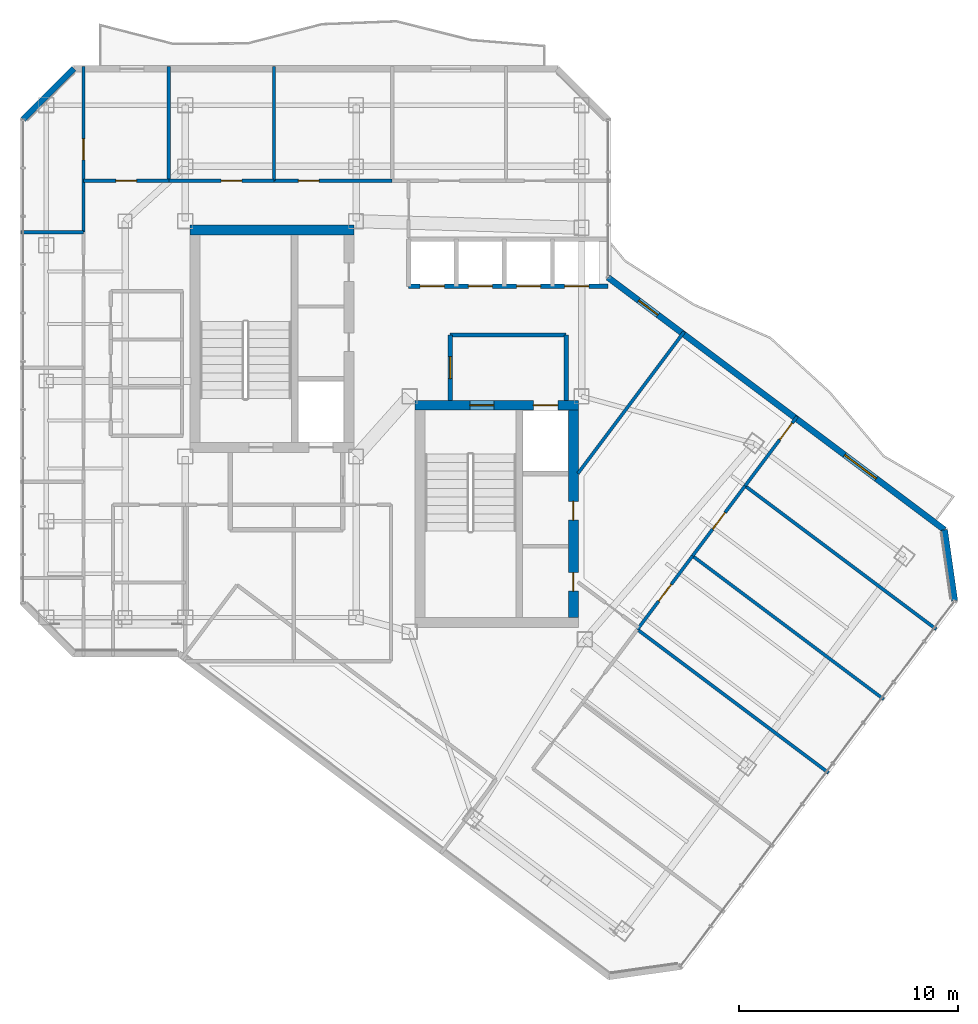
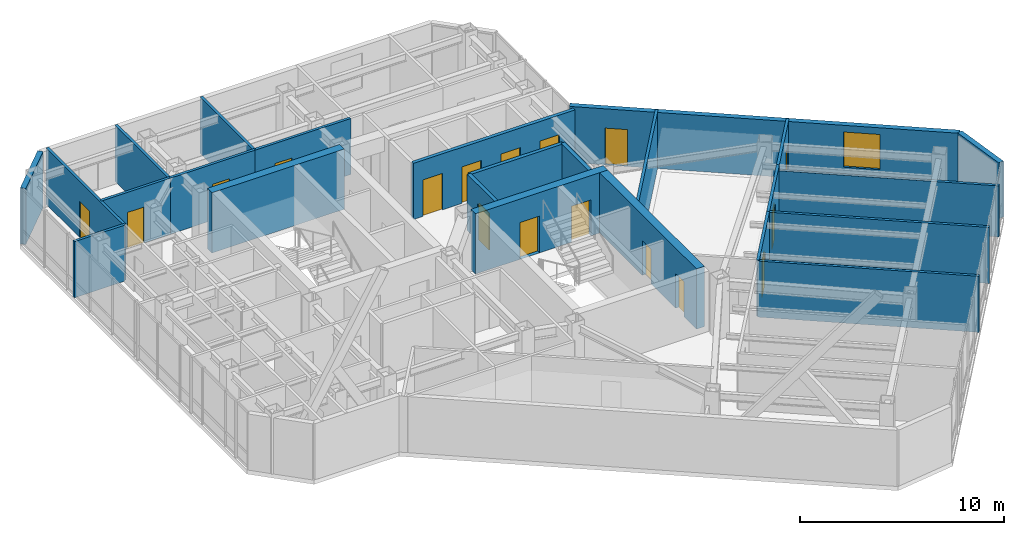
# One storey, part 21 of 25: 24 walls, 17 doors, 1 window, 18 openings.
"""IFC4 building model written with IfcOpenShell, lengths in metres."""

from ifc_helpers import new_model, si_unit, direction, frame, frame_2d, origin, place, context, subcontext, project, spatial, rectangle, extrude, material, layer, layer_set, type_object, element, fill, save


model = new_model("IFC4")

# Units and contexts
model_context = context("Model", 3, precision=1e-05, world=origin(), true_north=direction((0.0, 1.0)))
body_context = subcontext(model_context, "Body", "Model", "MODEL_VIEW")
ifc_project = project(units=[si_unit("LENGTHUNIT", "METRE"), si_unit("AREAUNIT", "SQUARE_METRE"), si_unit("VOLUMEUNIT", "CUBIC_METRE"), si_unit("PLANEANGLEUNIT", "RADIAN"), si_unit("MASSUNIT", "GRAM", prefix="KILO")], contexts=[model_context])

# Site, building, storey
site_placement = place(None, origin())
site = spatial("IfcSite", under=ifc_project, at=site_placement, CompositionType="ELEMENT")
building_placement = place(site_placement, origin())
building = spatial("IfcBuilding", under=site, at=building_placement, Name="Hatsunagi Terrace Concourse", CompositionType="ELEMENT")
storey_placement = place(building_placement, frame((0.0, 0.0, 223.949951171875)))
storey = spatial("IfcBuildingStorey", under=building, at=storey_placement, Name="L59", CompositionType="ELEMENT", Elevation=223.949951171875)

# Wall
ifc_material_1 = material(Name="Concrete Fc42", Category="concrete")
ifc_layer_1 = layer(ifc_material_1, 0.449951171875)
ifc_layer_set_1 = layer_set([ifc_layer_1], Name="CoreShearWall_Fc42_450")
wall_type_1 = type_object("IfcWallType", Name="CoreShearWall_Fc42_450", PredefinedType="SHEAR", material=ifc_layer_set_1)
wall_1_placement = place(storey_placement, frame((25.77001953125, 42.89501953125, 0.0), z_axis=(0.0, 0.0, 1.0), x_axis=(1.0, 0.0, 0.0)))
element("IfcWall", 1, at=wall_1_placement, inside=storey, type_object=wall_type_1, Name="Core A Shear Wall N L59", PredefinedType="SHEAR", context=body_context, shape_type="SweptSolid", body=[
    extrude(rectangle(XDim=7.47998046875, YDim=0.449951171875, at=frame_2d((3.739990234375, 0.0))), origin(), (0.0, 0.0, 1.0), 3.60009765625),
])

# Wall, openings, doors
wall_2_placement = place(storey_placement, frame((36.0400390625, 34.89501953125, 0.0), z_axis=(0.0, 0.0, 1.0), x_axis=(1.0, 0.0, 0.0)))
wall_2 = element("IfcWall", 2, at=wall_2_placement, inside=storey, type_object=wall_type_1, Name="Core B Shear Wall N L59", PredefinedType="SHEAR", context=body_context, shape_type="SweptSolid", body=[
    extrude(rectangle(XDim=7.4599609375, YDim=0.449951171875, at=frame_2d((3.72998046875, 0.0))), origin(), (0.0, 0.0, 1.0), 3.60009765625),
])
opening_1_placement = place(wall_2_placement, frame((2.510009765625, 0.0, 0.0)))
opening_1 = element("IfcOpeningElement", 3, at=opening_1_placement, cuts=wall_2, Name="Opening DR-110S", PredefinedType="OPENING", context=body_context, shape_type="SweptSolid", body=[
    extrude(rectangle(XDim=1.10009765625, YDim=2.199951171875, at=frame_2d((0.550048828125, 1.10009765625))), frame((0.0, 0.23486328125, 0.0), z_axis=(0.0, -1.0, 0.0), x_axis=(1.0, 0.0, 0.0)), (0.0, 0.0, 1.0), 0.469970703125),
])
opening_2_placement = place(wall_2_placement, frame((5.409912109375, 0.0, 0.0)))
opening_2 = element("IfcOpeningElement", 4, at=opening_2_placement, cuts=wall_2, Name="Opening LD-02", PredefinedType="OPENING", context=body_context, shape_type="SweptSolid", body=[
    extrude(rectangle(XDim=1.1201171875, YDim=2.14990234375, at=frame_2d((0.56005859375, 1.074951171875))), frame((0.0, 0.23486328125, 0.0), z_axis=(0.0, -1.0, 0.0), x_axis=(1.0, 0.0, 0.0)), (0.0, 0.0, 1.0), 0.469970703125),
])
ifc_material_2 = material(Name="Stainless steel", Category="steel")
door_type_1 = type_object("IfcDoorType", Name="LiftLandingDoor_LD02", OperationType="SLIDING_TO_RIGHT", PredefinedType="USERDEFINED", material=ifc_material_2)
door_1_placement = place(opening_2_placement, origin())
door_1 = element("IfcDoor", 5, at=door_1_placement, inside=storey, type_object=door_type_1, Name="Lift landing door FF-02 L59", ObjectType="SLIDING_LANDING_DOOR", OperationType="SLIDING_TO_RIGHT", OverallHeight=2.14990234375, OverallWidth=1.1201171875, PredefinedType="USERDEFINED", context=body_context, shape_type="SweptSolid", body=[
    extrude(rectangle(XDim=1.1201171875, YDim=2.14990234375, at=frame_2d((0.56005859375, 1.074951171875))), frame((0.0, 0.02490234375, 0.0), z_axis=(0.0, -1.0, 0.0), x_axis=(1.0, 0.0, 0.0)), (0.0, 0.0, 1.0), 0.050048828125),
])
fill(opening_2, door_1)
ifc_material_3 = material(Name="Painted steel", Category="steel")
door_type_2 = type_object("IfcDoorType", Name="StairFireDoor_EI60_1100", OperationType="NOTDEFINED", PredefinedType="DOOR", material=ifc_material_3)
door_2_placement = place(opening_1_placement, origin())
door_2 = element("IfcDoor", 6, at=door_2_placement, inside=storey, type_object=door_type_2, Name="Stair ST-B Exit Door L59", OperationType="SINGLE_SWING_RIGHT", OverallHeight=2.199951171875, OverallWidth=1.10009765625, PredefinedType="DOOR", context=body_context, shape_type="SweptSolid", body=[
    extrude(rectangle(XDim=1.10009765625, YDim=2.199951171875, at=frame_2d((0.550048828125, 1.10009765625))), frame((0.0, 0.02490234375, 0.0), z_axis=(0.0, -1.0, 0.0), x_axis=(1.0, 0.0, 0.0)), (0.0, 0.0, 1.0), 0.050048828125),
])
fill(opening_1, door_2)

wall_3_placement = place(storey_placement, frame((43.27490234375, 25.18994140625, 0.0), z_axis=(0.0, 0.0, 1.0), x_axis=(0.0, 1.0, 0.0)))
wall_3 = element("IfcWall", 7, at=wall_3_placement, inside=storey, type_object=wall_type_1, Name="Core B Shear Wall E L59", PredefinedType="SHEAR", context=body_context, shape_type="SweptSolid", body=[
    extrude(rectangle(XDim=9.47998046875, YDim=0.449951171875, at=frame_2d((4.739990234375, 0.0))), origin(), (0.0, 0.0, 1.0), 3.60009765625),
])
opening_3_placement = place(wall_3_placement, frame((1.2099609375, 0.0, 0.0)))
opening_3 = element("IfcOpeningElement", 8, at=opening_3_placement, cuts=wall_3, Name="Opening DR-085", PredefinedType="OPENING", context=body_context, shape_type="SweptSolid", body=[
    extrude(rectangle(XDim=0.85009765625, YDim=2.080078125, at=frame_2d((0.425048828125, 1.0400390625))), frame((0.0, 0.23486328125, 0.0), z_axis=(0.0, -1.0, 0.0), x_axis=(1.0, 0.0, 0.0)), (0.0, 0.0, 1.0), 0.469970703125),
])
opening_4_placement = place(wall_3_placement, frame((4.4599609375, 0.0, 0.0)))
opening_4 = element("IfcOpeningElement", 9, at=opening_4_placement, cuts=wall_3, Name="Opening DR-085", PredefinedType="OPENING", context=body_context, shape_type="SweptSolid", body=[
    extrude(rectangle(XDim=0.85009765625, YDim=2.080078125, at=frame_2d((0.425048828125, 1.0400390625))), frame((0.0, 0.23486328125, 0.0), z_axis=(0.0, -1.0, 0.0), x_axis=(1.0, 0.0, 0.0)), (0.0, 0.0, 1.0), 0.469970703125),
])
ifc_material_4 = material(Name="Painted steel", Category="steel")
door_type_3 = type_object("IfcDoorType", Name="RiserAccessDoor_EI60_850", OperationType="NOTDEFINED", PredefinedType="DOOR", material=ifc_material_4)
door_3_placement = place(opening_3_placement, origin())
door_3 = element("IfcDoor", 10, at=door_3_placement, inside=storey, type_object=door_type_3, Name="Core B Riser Door L59-1", OperationType="SINGLE_SWING_RIGHT", OverallHeight=2.080078125, OverallWidth=0.85009765625, PredefinedType="DOOR", context=body_context, shape_type="SweptSolid", body=[
    extrude(rectangle(XDim=0.85009765625, YDim=2.080078125, at=frame_2d((0.425048828125, 1.0400390625))), frame((0.0, 0.02490234375, 0.0), z_axis=(0.0, -1.0, 0.0), x_axis=(1.0, 0.0, 0.0)), (0.0, 0.0, 1.0), 0.050048828125),
])
fill(opening_3, door_3)
door_4_placement = place(opening_4_placement, origin())
door_4 = element("IfcDoor", 11, at=door_4_placement, inside=storey, type_object=door_type_3, Name="Core B Riser Door L59-2", OperationType="SINGLE_SWING_RIGHT", OverallHeight=2.080078125, OverallWidth=0.85009765625, PredefinedType="DOOR", context=body_context, shape_type="SweptSolid", body=[
    extrude(rectangle(XDim=0.85009765625, YDim=2.080078125, at=frame_2d((0.425048828125, 1.0400390625))), frame((0.0, 0.02490234375, 0.0), z_axis=(0.0, -1.0, 0.0), x_axis=(1.0, 0.0, 0.0)), (0.0, 0.0, 1.0), 0.050048828125),
])
fill(opening_4, door_4)

# Wall
ifc_material_5 = material(Name="Acoustic mineral board", Category="gypsum")
ifc_layer_2 = layer(ifc_material_5, 0.14990234375)
ifc_layer_set_2 = layer_set([ifc_layer_2], Name="PartitionWall_EI60_150")
wall_type_2 = type_object("IfcWallType", Name="PartitionWall_EI60_150", PredefinedType="PARTITIONING", material=ifc_layer_set_2)
wall_4_placement = place(storey_placement, frame((18.0400390625, 42.800048828125, 0.0), z_axis=(0.0, 0.0, 1.0), x_axis=(1.0, 0.0, 0.0)))
element("IfcWall", 12, at=wall_4_placement, inside=storey, type_object=wall_type_2, Name="Interior Partition IW-L59-038", PredefinedType="PARTITIONING", context=body_context, shape_type="SweptSolid", body=[
    extrude(rectangle(XDim=2.85986328125, YDim=0.14990234375, at=frame_2d((1.429931640625, 0.0))), origin(), (0.0, 0.0, 1.0), 3.35009765625),
])

# Wall, opening, door
wall_5_placement = place(storey_placement, frame((20.89990234375, 42.800048828125, 0.0), z_axis=(0.0, 0.0, 1.0), x_axis=(0.0, 1.0, 0.0)))
wall_5 = element("IfcWall", 13, at=wall_5_placement, inside=storey, type_object=wall_type_2, Name="Interior Partition IW-L59-040", PredefinedType="PARTITIONING", context=body_context, shape_type="SweptSolid", body=[
    extrude(rectangle(XDim=7.56005859375, YDim=0.14990234375, at=frame_2d((3.780029296875, 0.0))), origin(), (0.0, 0.0, 1.0), 3.35009765625),
])
opening_5_placement = place(wall_5_placement, frame((3.304931640625, 0.0, 0.0)))
opening_5 = element("IfcOpeningElement", 14, at=opening_5_placement, cuts=wall_5, Name="Opening DR-095", PredefinedType="OPENING", context=body_context, shape_type="SweptSolid", body=[
    extrude(rectangle(XDim=0.949951171875, YDim=2.14990234375, at=frame_2d((0.47509765625, 1.074951171875))), frame((0.0, 0.0849609375, 0.0), z_axis=(0.0, -1.0, 0.0), x_axis=(1.0, 0.0, 0.0)), (0.0, 0.0, 1.0), 0.169921875),
])
ifc_material_6 = material(Name="Hardwood timber", Category="wood")
door_type_4 = type_object("IfcDoorType", Name="InteriorSuiteDoor_EI30_950", OperationType="NOTDEFINED", PredefinedType="DOOR", material=ifc_material_6)
door_5_placement = place(opening_5_placement, origin())
door_5 = element("IfcDoor", 15, at=door_5_placement, inside=storey, type_object=door_type_4, Name="Boardroom L59-OW5 Door", OperationType="SINGLE_SWING_RIGHT", OverallHeight=2.14990234375, OverallWidth=0.949951171875, PredefinedType="DOOR", context=body_context, shape_type="SweptSolid", body=[
    extrude(rectangle(XDim=0.949951171875, YDim=2.14990234375, at=frame_2d((0.47509765625, 1.074951171875))), frame((0.0, 0.02490234375, 0.0), z_axis=(0.0, -1.0, 0.0), x_axis=(1.0, 0.0, 0.0)), (0.0, 0.0, 1.0), 0.050048828125),
])
fill(opening_5, door_5)

wall_6_placement = place(storey_placement, frame((20.89990234375, 45.14990234375, 0.0), z_axis=(0.0, 0.0, 1.0), x_axis=(1.0, 0.0, 0.0)))
wall_6 = element("IfcWall", 16, at=wall_6_placement, inside=storey, type_object=wall_type_2, Name="Interior Partition IW-L59-041", PredefinedType="PARTITIONING", context=body_context, shape_type="SweptSolid", body=[
    extrude(rectangle(XDim=3.900146484375, YDim=0.14990234375, at=frame_2d((1.9501953125, 0.0))), origin(), (0.0, 0.0, 1.0), 3.35009765625),
])
opening_6_placement = place(wall_6_placement, frame((1.47509765625, 0.0, 0.0)))
opening_6 = element("IfcOpeningElement", 17, at=opening_6_placement, cuts=wall_6, Name="Opening DR-095", PredefinedType="OPENING", context=body_context, shape_type="SweptSolid", body=[
    extrude(rectangle(XDim=0.949951171875, YDim=2.14990234375, at=frame_2d((0.47509765625, 1.074951171875))), frame((0.0, 0.0849609375, 0.0), z_axis=(0.0, -1.0, 0.0), x_axis=(1.0, 0.0, 0.0)), (0.0, 0.0, 1.0), 0.169921875),
])
door_6_placement = place(opening_6_placement, origin())
door_6 = element("IfcDoor", 18, at=door_6_placement, inside=storey, type_object=door_type_4, Name="Executive Briefing Room L59-ON1 Door", OperationType="SINGLE_SWING_LEFT", OverallHeight=2.14990234375, OverallWidth=0.949951171875, PredefinedType="DOOR", context=body_context, shape_type="SweptSolid", body=[
    extrude(rectangle(XDim=0.949951171875, YDim=2.14990234375, at=frame_2d((0.47509765625, 1.074951171875))), frame((0.0, 0.02490234375, 0.0), z_axis=(0.0, -1.0, 0.0), x_axis=(1.0, 0.0, 0.0)), (0.0, 0.0, 1.0), 0.050048828125),
])
fill(opening_6, door_6)

# Wall
wall_7_placement = place(storey_placement, frame((24.800048828125, 45.14990234375, 0.0), z_axis=(0.0, 0.0, 1.0), x_axis=(0.0, 1.0, 0.0)))
element("IfcWall", 19, at=wall_7_placement, inside=storey, type_object=wall_type_2, Name="Interior Partition IW-L59-042", PredefinedType="PARTITIONING", context=body_context, shape_type="SweptSolid", body=[
    extrude(rectangle(XDim=5.210205078125, YDim=0.14990234375, at=frame_2d((2.60498046875, 0.0))), origin(), (0.0, 0.0, 1.0), 3.35009765625),
])

# Wall, opening, door
wall_8_placement = place(storey_placement, frame((24.800048828125, 45.14990234375, 0.0), z_axis=(0.0, 0.0, 1.0), x_axis=(1.0, 0.0, 0.0)))
wall_8 = element("IfcWall", 20, at=wall_8_placement, inside=storey, type_object=wall_type_2, Name="Interior Partition IW-L59-043", PredefinedType="PARTITIONING", context=body_context, shape_type="SweptSolid", body=[
    extrude(rectangle(XDim=4.800048828125, YDim=0.14990234375, at=frame_2d((2.39990234375, 0.0))), origin(), (0.0, 0.0, 1.0), 3.35009765625),
])
opening_7_placement = place(wall_8_placement, frame((2.388916015625, 0.0, 0.0)))
opening_7 = element("IfcOpeningElement", 21, at=opening_7_placement, cuts=wall_8, Name="Opening DR-095", PredefinedType="OPENING", context=body_context, shape_type="SweptSolid", body=[
    extrude(rectangle(XDim=0.949951171875, YDim=2.14990234375, at=frame_2d((0.47509765625, 1.074951171875))), frame((0.0, 0.0849609375, 0.0), z_axis=(0.0, -1.0, 0.0), x_axis=(1.0, 0.0, 0.0)), (0.0, 0.0, 1.0), 0.169921875),
])
door_7_placement = place(opening_7_placement, origin())
door_7 = element("IfcDoor", 22, at=door_7_placement, inside=storey, type_object=door_type_4, Name="Breakout Pantry L59-ON2 Door", OperationType="SINGLE_SWING_RIGHT", OverallHeight=2.14990234375, OverallWidth=0.949951171875, PredefinedType="DOOR", context=body_context, shape_type="SweptSolid", body=[
    extrude(rectangle(XDim=0.949951171875, YDim=2.14990234375, at=frame_2d((0.47509765625, 1.074951171875))), frame((0.0, 0.02490234375, 0.0), z_axis=(0.0, -1.0, 0.0), x_axis=(1.0, 0.0, 0.0)), (0.0, 0.0, 1.0), 0.050048828125),
])
fill(opening_7, door_7)

# Wall
wall_9_placement = place(storey_placement, frame((29.60009765625, 45.14990234375, 0.0), z_axis=(0.0, 0.0, 1.0), x_axis=(0.0, 1.0, 0.0)))
element("IfcWall", 23, at=wall_9_placement, inside=storey, type_object=wall_type_2, Name="Interior Partition IW-L59-044", PredefinedType="PARTITIONING", context=body_context, shape_type="SweptSolid", body=[
    extrude(rectangle(XDim=5.210205078125, YDim=0.14990234375, at=frame_2d((2.60498046875, 0.0))), origin(), (0.0, 0.0, 1.0), 3.35009765625),
])

# Wall, opening, door
wall_10_placement = place(storey_placement, frame((29.60009765625, 45.14990234375, 0.0), z_axis=(0.0, 0.0, 1.0), x_axis=(1.0, 0.0, 0.0)))
wall_10 = element("IfcWall", 24, at=wall_10_placement, inside=storey, type_object=wall_type_2, Name="Interior Partition IW-L59-045", PredefinedType="PARTITIONING", context=body_context, shape_type="SweptSolid", body=[
    extrude(rectangle(XDim=5.39990234375, YDim=0.14990234375, at=frame_2d((2.699951171875, 0.0))), origin(), (0.0, 0.0, 1.0), 3.35009765625),
])
opening_8_placement = place(wall_10_placement, frame((1.117919921875, 0.0, 0.0)))
opening_8 = element("IfcOpeningElement", 25, at=opening_8_placement, cuts=wall_10, Name="Opening DR-095", PredefinedType="OPENING", context=body_context, shape_type="SweptSolid", body=[
    extrude(rectangle(XDim=0.949951171875, YDim=2.14990234375, at=frame_2d((0.47509765625, 1.074951171875))), frame((0.0, 0.0849609375, 0.0), z_axis=(0.0, -1.0, 0.0), x_axis=(1.0, 0.0, 0.0)), (0.0, 0.0, 1.0), 0.169921875),
])
door_8_placement = place(opening_8_placement, origin())
door_8 = element("IfcDoor", 26, at=door_8_placement, inside=storey, type_object=door_type_4, Name="Executive Briefing Room L59-ON3 Door", OperationType="SINGLE_SWING_RIGHT", OverallHeight=2.14990234375, OverallWidth=0.949951171875, PredefinedType="DOOR", context=body_context, shape_type="SweptSolid", body=[
    extrude(rectangle(XDim=0.949951171875, YDim=2.14990234375, at=frame_2d((0.47509765625, 1.074951171875))), frame((0.0, 0.02490234375, 0.0), z_axis=(0.0, -1.0, 0.0), x_axis=(1.0, 0.0, 0.0)), (0.0, 0.0, 1.0), 0.050048828125),
])
fill(opening_8, door_8)

# Walls
for number, where, z_axis, x_axis, name in (
    (27, (46.199951171875, 24.64990234375, 0.0), (0.0, 0.0, 1.0), (0.800005370633, -0.599992839089, 0.0), "Interior Partition IW-L59-053"),
    (28, (48.719970703125, 28.010009765625, 0.0), (0.0, 0.0, 1.0), (0.800005370633, -0.599992839089, 0.0), "Interior Partition IW-L59-055"),
):
    element("IfcWall", number, at=place(storey_placement, frame(where, z_axis=z_axis, x_axis=x_axis)), inside=storey, type_object=wall_type_2, Name=name, PredefinedType="PARTITIONING", context=body_context, shape_type="SweptSolid", body=[
        extrude(rectangle(XDim=10.909912109375, YDim=0.14990234375, at=frame_2d((5.455078125, 0.0))), origin(), (0.0, 0.0, 1.0), 3.35009765625),
    ])

# Wall, opening, door
wall_11_placement = place(storey_placement, frame((46.199951171875, 24.64990234375, 0.0), z_axis=(0.0, 0.0, 1.0), x_axis=(0.59999069958, 0.80000697523, 0.0)))
wall_11 = element("IfcWall", 29, at=wall_11_placement, inside=storey, type_object=wall_type_2, Name="Interior Partition IW-L59-056", PredefinedType="PARTITIONING", context=body_context, shape_type="SweptSolid", body=[
    extrude(rectangle(XDim=4.2001953125, YDim=0.14990234375, at=frame_2d((2.10009765625, 0.0))), origin(), (0.0, 0.0, 1.0), 3.35009765625),
])
opening_9_placement = place(wall_11_placement, frame((1.625, 0.0, 0.0)))
opening_9 = element("IfcOpeningElement", 30, at=opening_9_placement, cuts=wall_11, Name="Opening DR-095", PredefinedType="OPENING", context=body_context, shape_type="SweptSolid", body=[
    extrude(rectangle(XDim=0.949951171875, YDim=2.14990234375, at=frame_2d((0.47509765625, 1.074951171875))), frame((0.0, 0.0849609375, 0.0), z_axis=(0.0, -1.0, 0.0), x_axis=(1.0, 0.0, 0.0)), (0.0, 0.0, 1.0), 0.169921875),
])
door_9_placement = place(opening_9_placement, origin())
door_9 = element("IfcDoor", 31, at=door_9_placement, inside=storey, type_object=door_type_4, Name="Focus Room L59-OSE3 Door", OperationType="SINGLE_SWING_RIGHT", OverallHeight=2.14990234375, OverallWidth=0.949951171875, PredefinedType="DOOR", context=body_context, shape_type="SweptSolid", body=[
    extrude(rectangle(XDim=0.949951171875, YDim=2.14990234375, at=frame_2d((0.47509765625, 1.074951171875))), frame((0.0, 0.02490234375, 0.0), z_axis=(0.0, -1.0, 0.0), x_axis=(1.0, 0.0, 0.0)), (0.0, 0.0, 1.0), 0.050048828125),
])
fill(opening_9, door_9)

# Wall
wall_12_placement = place(storey_placement, frame((51.1201171875, 31.2099609375, 0.0), z_axis=(0.0, 0.0, 1.0), x_axis=(0.799997314611, -0.600003580502, 0.0)))
element("IfcWall", 32, at=wall_12_placement, inside=storey, type_object=wall_type_2, Name="Interior Partition IW-L59-057", PredefinedType="PARTITIONING", context=body_context, shape_type="SweptSolid", body=[
    extrude(rectangle(XDim=10.90966796875, YDim=0.14990234375, at=frame_2d((5.454833984375, 0.0))), origin(), (0.0, 0.0, 1.0), 3.045166015625),
])

# Wall, opening, door
wall_13_placement = place(storey_placement, frame((48.719970703125, 28.010009765625, 0.0), z_axis=(0.0, 0.0, 1.0), x_axis=(0.600029296115, 0.799978027076, 0.0)))
wall_13 = element("IfcWall", 33, at=wall_13_placement, inside=storey, type_object=wall_type_2, Name="Interior Partition IW-L59-058", PredefinedType="PARTITIONING", context=body_context, shape_type="SweptSolid", body=[
    extrude(rectangle(XDim=4.0, YDim=0.14990234375, at=frame_2d((2.0, 0.0))), origin(), (0.0, 0.0, 1.0), 3.35009765625),
])
opening_10_placement = place(wall_13_placement, frame((1.52490234375, 0.0, 0.0)))
opening_10 = element("IfcOpeningElement", 34, at=opening_10_placement, cuts=wall_13, Name="Opening DR-095", PredefinedType="OPENING", context=body_context, shape_type="SweptSolid", body=[
    extrude(rectangle(XDim=0.949951171875, YDim=2.14990234375, at=frame_2d((0.47509765625, 1.074951171875))), frame((0.0, 0.0849609375, 0.0), z_axis=(0.0, -1.0, 0.0), x_axis=(1.0, 0.0, 0.0)), (0.0, 0.0, 1.0), 0.169921875),
])
door_10_placement = place(opening_10_placement, origin())
door_10 = element("IfcDoor", 35, at=door_10_placement, inside=storey, type_object=door_type_4, Name="Executive Office L59-OSE4 Door", OperationType="SINGLE_SWING_RIGHT", OverallHeight=2.14990234375, OverallWidth=0.949951171875, PredefinedType="DOOR", context=body_context, shape_type="SweptSolid", body=[
    extrude(rectangle(XDim=0.949951171875, YDim=2.14990234375, at=frame_2d((0.47509765625, 1.074951171875))), frame((0.0, 0.02490234375, 0.0), z_axis=(0.0, -1.0, 0.0), x_axis=(1.0, 0.0, 0.0)), (0.0, 0.0, 1.0), 0.050048828125),
])
fill(opening_10, door_10)

wall_14_placement = place(storey_placement, frame((51.1201171875, 31.2099609375, 0.0), z_axis=(0.0, 0.0, 1.0), x_axis=(0.6, 0.8, 0.0)))
wall_14 = element("IfcWall", 36, at=wall_14_placement, inside=storey, type_object=wall_type_2, Name="Interior Partition IW-L59-059", PredefinedType="PARTITIONING", context=body_context, shape_type="SweptSolid", body=[
    extrude(rectangle(XDim=3.9599609375, YDim=0.14990234375, at=frame_2d((1.97998046875, 0.0))), origin(), (0.0, 0.0, 1.0), 3.35009765625),
])
opening_11_placement = place(wall_14_placement, frame((2.6298828125, 0.0, 0.0)))
opening_11 = element("IfcOpeningElement", 37, at=opening_11_placement, cuts=wall_14, Name="Opening DR-095", PredefinedType="OPENING", context=body_context, shape_type="SweptSolid", body=[
    extrude(rectangle(XDim=0.949951171875, YDim=2.14990234375, at=frame_2d((0.47509765625, 1.074951171875))), frame((0.0, 0.0849609375, 0.0), z_axis=(0.0, -1.0, 0.0), x_axis=(1.0, 0.0, 0.0)), (0.0, 0.0, 1.0), 0.169921875),
])
door_11_placement = place(opening_11_placement, origin())
door_11 = element("IfcDoor", 38, at=door_11_placement, inside=storey, type_object=door_type_4, Name="Focus Room L59-OSE5 Door", OperationType="SINGLE_SWING_RIGHT", OverallHeight=2.14990234375, OverallWidth=0.949951171875, PredefinedType="DOOR", context=body_context, shape_type="SweptSolid", body=[
    extrude(rectangle(XDim=0.949951171875, YDim=2.14990234375, at=frame_2d((0.47509765625, 1.074951171875))), frame((0.0, 0.02490234375, 0.0), z_axis=(0.0, -1.0, 0.0), x_axis=(1.0, 0.0, 0.0)), (0.0, 0.0, 1.0), 0.050048828125),
])
fill(opening_11, door_11)

# Walls
wall_15_placement = place(storey_placement, frame((43.47998046875, 31.77294921875, 0.0), z_axis=(0.0, 0.0, 1.0), x_axis=(0.599971041729, 0.800021717885, 0.0)))
element("IfcWall", 39, at=wall_15_placement, inside=storey, type_object=wall_type_2, Name="Interior Partition IW-L59-061", PredefinedType="PARTITIONING", context=body_context, shape_type="SweptSolid", body=[
    extrude(rectangle(XDim=8.09375, YDim=0.14990234375, at=frame_2d((4.046875, 0.0))), origin(), (0.0, 0.0, 1.0), 3.35009765625),
])
ifc_material_7 = material(Name="Acoustic mineral board", Category="gypsum")
ifc_layer_3 = layer(ifc_material_7, 0.199951171875)
ifc_layer_set_3 = layer_set([ifc_layer_3], Name="ShaftWall_EI120_200")
wall_type_3 = type_object("IfcWallType", Name="ShaftWall_EI120_200", PredefinedType="STANDARD", material=ifc_layer_set_3)
wall_16_placement = place(storey_placement, frame((37.64990234375, 38.10009765625, 0.0), z_axis=(0.0, 0.0, 1.0), x_axis=(1.0, 0.0, 0.0)))
element("IfcWall", 40, at=wall_16_placement, inside=storey, type_object=wall_type_3, Name="Interior Partition IW-L59-008", PredefinedType="STANDARD", context=body_context, shape_type="SweptSolid", body=[
    extrude(rectangle(XDim=5.300048828125, YDim=0.199951171875, at=frame_2d((2.64990234375, 0.0))), origin(), (0.0, 0.0, 1.0), 3.35009765625),
])
wall_17_placement = place(storey_placement, frame((42.949951171875, 35.1201171875, 0.0), z_axis=(0.0, 0.0, 1.0), x_axis=(0.0, 1.0, 0.0)))
element("IfcWall", 41, at=wall_17_placement, inside=storey, type_object=wall_type_3, Name="Interior Partition IW-L59-009", PredefinedType="STANDARD", context=body_context, shape_type="SweptSolid", body=[
    extrude(rectangle(XDim=2.97998046875, YDim=0.199951171875, at=frame_2d((1.489990234375, 0.0))), origin(), (0.0, 0.0, 1.0), 3.35009765625),
])

# Wall, opening, door
wall_18_placement = place(storey_placement, frame((37.64990234375, 35.1201171875, 0.0), z_axis=(0.0, 0.0, 1.0), x_axis=(0.0, 1.0, 0.0)))
wall_18 = element("IfcWall", 42, at=wall_18_placement, inside=storey, type_object=wall_type_3, Name="Interior Partition IW-L59-010", PredefinedType="STANDARD", context=body_context, shape_type="SweptSolid", body=[
    extrude(rectangle(XDim=2.97998046875, YDim=0.199951171875, at=frame_2d((1.489990234375, 0.0))), origin(), (0.0, 0.0, 1.0), 3.35009765625),
])
opening_12_placement = place(wall_18_placement, frame((0.989990234375, 0.0, 0.0)))
opening_12 = element("IfcOpeningElement", 43, at=opening_12_placement, cuts=wall_18, Name="Opening DR-100F", PredefinedType="OPENING", context=body_context, shape_type="SweptSolid", body=[
    extrude(rectangle(XDim=1.0, YDim=2.199951171875, at=frame_2d((0.5, 1.10009765625))), frame((0.0, 0.10986328125, 0.0), z_axis=(0.0, -1.0, 0.0), x_axis=(1.0, 0.0, 0.0)), (0.0, 0.0, 1.0), 0.219970703125),
])
ifc_material_8 = material(Name="Painted steel", Category="steel")
door_type_5 = type_object("IfcDoorType", Name="FireDoor_EI60_1000", OperationType="NOTDEFINED", PredefinedType="DOOR", material=ifc_material_8)
door_12_placement = place(opening_12_placement, origin())
door_12 = element("IfcDoor", 44, at=door_12_placement, inside=storey, type_object=door_type_5, Name="Firefighting Lobby B Door L59", OperationType="SINGLE_SWING_RIGHT", OverallHeight=2.199951171875, OverallWidth=1.0, PredefinedType="DOOR", context=body_context, shape_type="SweptSolid", body=[
    extrude(rectangle(XDim=1.0, YDim=2.199951171875, at=frame_2d((0.5, 1.10009765625))), frame((0.0, 0.02490234375, 0.0), z_axis=(0.0, -1.0, 0.0), x_axis=(1.0, 0.0, 0.0)), (0.0, 0.0, 1.0), 0.050048828125),
])
fill(opening_12, door_12)

# Wall, openings, doors
wall_19_placement = place(storey_placement, frame((35.75, 40.320068359375, 0.0), z_axis=(0.0, 0.0, 1.0), x_axis=(1.0, 0.0, 0.0)))
wall_19 = element("IfcWall", 45, at=wall_19_placement, inside=storey, type_object=wall_type_3, Name="Interior Partition IW-L59-016", PredefinedType="STANDARD", context=body_context, shape_type="SweptSolid", body=[
    extrude(rectangle(XDim=9.110107421875, YDim=0.199951171875, at=frame_2d((4.55517578125, 0.0))), origin(), (0.0, 0.0, 1.0), 3.35009765625),
])
opening_13_placement = place(wall_19_placement, frame((0.530029296875, 0.0, 0.0)))
opening_13 = element("IfcOpeningElement", 46, at=opening_13_placement, cuts=wall_19, Name="Opening LD-04", PredefinedType="OPENING", context=body_context, shape_type="SweptSolid", body=[
    extrude(rectangle(XDim=1.10009765625, YDim=2.179931640625, at=frame_2d((0.550048828125, 1.08984375))), frame((0.0, 0.10986328125, 0.0), z_axis=(0.0, -1.0, 0.0), x_axis=(1.0, 0.0, 0.0)), (0.0, 0.0, 1.0), 0.219970703125),
])
opening_14_placement = place(wall_19_placement, frame((2.72998046875, 0.0, 0.0)))
opening_14 = element("IfcOpeningElement", 47, at=opening_14_placement, cuts=wall_19, Name="Opening LD-04", PredefinedType="OPENING", context=body_context, shape_type="SweptSolid", body=[
    extrude(rectangle(XDim=1.10009765625, YDim=2.179931640625, at=frame_2d((0.550048828125, 1.08984375))), frame((0.0, 0.10986328125, 0.0), z_axis=(0.0, -1.0, 0.0), x_axis=(1.0, 0.0, 0.0)), (0.0, 0.0, 1.0), 0.219970703125),
])
opening_15_placement = place(wall_19_placement, frame((4.929931640625, 0.0, 0.0)))
opening_15 = element("IfcOpeningElement", 48, at=opening_15_placement, cuts=wall_19, Name="Opening LD-04", PredefinedType="OPENING", context=body_context, shape_type="SweptSolid", body=[
    extrude(rectangle(XDim=1.10009765625, YDim=2.179931640625, at=frame_2d((0.550048828125, 1.08984375))), frame((0.0, 0.10986328125, 0.0), z_axis=(0.0, -1.0, 0.0), x_axis=(1.0, 0.0, 0.0)), (0.0, 0.0, 1.0), 0.219970703125),
])
opening_16_placement = place(wall_19_placement, frame((7.1298828125, 0.0, 0.0)))
opening_16 = element("IfcOpeningElement", 49, at=opening_16_placement, cuts=wall_19, Name="Opening LD-04", PredefinedType="OPENING", context=body_context, shape_type="SweptSolid", body=[
    extrude(rectangle(XDim=1.10009765625, YDim=2.179931640625, at=frame_2d((0.550048828125, 1.08984375))), frame((0.0, 0.10986328125, 0.0), z_axis=(0.0, -1.0, 0.0), x_axis=(1.0, 0.0, 0.0)), (0.0, 0.0, 1.0), 0.219970703125),
])
ifc_material_9 = material(Name="Stainless steel", Category="steel")
door_type_6 = type_object("IfcDoorType", Name="LiftLandingDoor_LD04", OperationType="SLIDING_TO_RIGHT", PredefinedType="USERDEFINED", material=ifc_material_9)
door_13_placement = place(opening_13_placement, origin())
door_13 = element("IfcDoor", 50, at=door_13_placement, inside=storey, type_object=door_type_6, Name="Lift landing door PL-05 L59", ObjectType="SLIDING_LANDING_DOOR", OperationType="SLIDING_TO_RIGHT", OverallHeight=2.179931640625, OverallWidth=1.10009765625, PredefinedType="USERDEFINED", context=body_context, shape_type="SweptSolid", body=[
    extrude(rectangle(XDim=1.10009765625, YDim=2.179931640625, at=frame_2d((0.550048828125, 1.08984375))), frame((0.0, 0.02490234375, 0.0), z_axis=(0.0, -1.0, 0.0), x_axis=(1.0, 0.0, 0.0)), (0.0, 0.0, 1.0), 0.050048828125),
])
fill(opening_13, door_13)
door_14_placement = place(opening_14_placement, origin())
door_14 = element("IfcDoor", 51, at=door_14_placement, inside=storey, type_object=door_type_6, Name="Lift landing door PL-06 L59", ObjectType="SLIDING_LANDING_DOOR", OperationType="SLIDING_TO_RIGHT", OverallHeight=2.179931640625, OverallWidth=1.10009765625, PredefinedType="USERDEFINED", context=body_context, shape_type="SweptSolid", body=[
    extrude(rectangle(XDim=1.10009765625, YDim=2.179931640625, at=frame_2d((0.550048828125, 1.08984375))), frame((0.0, 0.02490234375, 0.0), z_axis=(0.0, -1.0, 0.0), x_axis=(1.0, 0.0, 0.0)), (0.0, 0.0, 1.0), 0.050048828125),
])
fill(opening_14, door_14)
door_15_placement = place(opening_15_placement, origin())
door_15 = element("IfcDoor", 52, at=door_15_placement, inside=storey, type_object=door_type_6, Name="Lift landing door PL-07 L59", ObjectType="SLIDING_LANDING_DOOR", OperationType="SLIDING_TO_RIGHT", OverallHeight=2.179931640625, OverallWidth=1.10009765625, PredefinedType="USERDEFINED", context=body_context, shape_type="SweptSolid", body=[
    extrude(rectangle(XDim=1.10009765625, YDim=2.179931640625, at=frame_2d((0.550048828125, 1.08984375))), frame((0.0, 0.02490234375, 0.0), z_axis=(0.0, -1.0, 0.0), x_axis=(1.0, 0.0, 0.0)), (0.0, 0.0, 1.0), 0.050048828125),
])
fill(opening_15, door_15)
door_16_placement = place(opening_16_placement, origin())
door_16 = element("IfcDoor", 53, at=door_16_placement, inside=storey, type_object=door_type_6, Name="Lift landing door PL-08 L59", ObjectType="SLIDING_LANDING_DOOR", OperationType="SLIDING_TO_RIGHT", OverallHeight=2.179931640625, OverallWidth=1.10009765625, PredefinedType="USERDEFINED", context=body_context, shape_type="SweptSolid", body=[
    extrude(rectangle(XDim=1.10009765625, YDim=2.179931640625, at=frame_2d((0.550048828125, 1.08984375))), frame((0.0, 0.02490234375, 0.0), z_axis=(0.0, -1.0, 0.0), x_axis=(1.0, 0.0, 0.0)), (0.0, 0.0, 1.0), 0.050048828125),
])
fill(opening_16, door_16)

# Wall, openings, door, window
ifc_material_10 = material(Name="Autoclaved Lightweight Concrete and Terracotta Cladding", Category="masonry")
ifc_layer_4 = layer(ifc_material_10, 0.280029296875)
ifc_layer_set_4 = layer_set([ifc_layer_4], Name="TerracottaSpandrelWall_280")
wall_type_4 = type_object("IfcWallType", Name="TerracottaSpandrelWall_280", PredefinedType="STANDARD", material=ifc_layer_set_4)
wall_20_placement = place(storey_placement, frame((44.860107421875, 40.72998046875, 0.0), z_axis=(0.0, 0.0, 1.0), x_axis=(0.800007624502, -0.599989833863, 0.0)))
wall_20 = element("IfcWall", 54, at=wall_20_placement, inside=storey, type_object=wall_type_4, Name="Exterior Spandrel Wall EW-L59-01", PredefinedType="STANDARD", context=body_context, shape_type="SweptSolid", body=[
    extrude(rectangle(XDim=19.212158203125, YDim=0.280029296875, at=frame_2d((9.60595703125, 0.0))), origin(), (0.0, 0.0, 1.0), 3.35009765625),
])
opening_17_placement = place(wall_20_placement, frame((1.7548828125, 0.0, 0.0)))
opening_17 = element("IfcOpeningElement", 55, at=opening_17_placement, cuts=wall_20, Name="Opening BD-01", PredefinedType="OPENING", context=body_context, shape_type="SweptSolid", body=[
    extrude(rectangle(XDim=1.10009765625, YDim=2.199951171875, at=frame_2d((0.550048828125, 1.10009765625))), frame((0.0, 0.14990234375, 0.0), z_axis=(0.0, -1.0, 0.0), x_axis=(1.0, 0.0, 0.0)), (0.0, 0.0, 1.0), 0.300048828125),
])
opening_18_placement = place(wall_20_placement, frame((13.509033203125, 0.0, 0.85009765625)))
opening_18 = element("IfcOpeningElement", 56, at=opening_18_placement, cuts=wall_20, Name="Opening WIN-03", PredefinedType="OPENING", context=body_context, shape_type="SweptSolid", body=[
    extrude(rectangle(XDim=1.800048828125, YDim=2.10009765625, at=frame_2d((0.89990234375, 1.050048828125))), frame((0.0, 0.14990234375, 0.0), z_axis=(0.0, -1.0, 0.0), x_axis=(1.0, 0.0, 0.0)), (0.0, 0.0, 1.0), 0.300048828125),
])
ifc_material_11 = material(Name="Galvanised Steel and Laminated Safety Glass", Category="steel")
door_type_7 = type_object("IfcDoorType", Name="BalconyTerraceAccessDoor_1100x2200", OperationType="SINGLE_SWING_LEFT", PredefinedType="DOOR", material=ifc_material_11)
door_17_placement = place(opening_17_placement, origin())
door_17 = element("IfcDoor", 57, at=door_17_placement, inside=storey, type_object=door_type_7, Name="Engawa Balcony Door L59-BSE", OperationType="SINGLE_SWING_LEFT", OverallHeight=2.199951171875, OverallWidth=1.10009765625, PredefinedType="DOOR", context=body_context, shape_type="SweptSolid", body=[
    extrude(rectangle(XDim=1.10009765625, YDim=2.199951171875, at=frame_2d((0.550048828125, 1.10009765625))), frame((0.0, 0.02490234375, 0.0), z_axis=(0.0, -1.0, 0.0), x_axis=(1.0, 0.0, 0.0)), (0.0, 0.0, 1.0), 0.050048828125),
])
fill(opening_17, door_17)
ifc_material_12 = material(Name="Thermally Broken Aluminium and Low-E Triple Glazing", Category="aluminium")
window_type = type_object("IfcWindowType", Name="OfficeCornerFeatureWindow_1800x2100", PartitioningType="SINGLE_PANEL", PredefinedType="WINDOW", material=ifc_material_12)
window_placement = place(opening_18_placement, origin())
window = element("IfcWindow", 58, at=window_placement, inside=storey, type_object=window_type, Name="Balcony Daylighting Window L59-01-2", OverallHeight=2.10009765625, OverallWidth=1.800048828125, PartitioningType="SINGLE_PANEL", PredefinedType="WINDOW", context=body_context, shape_type="SweptSolid", body=[
    extrude(rectangle(XDim=1.800048828125, YDim=2.10009765625, at=frame_2d((0.89990234375, 1.050048828125))), frame((0.0, 0.030029296875, 0.0), z_axis=(0.0, -1.0, 0.0), x_axis=(1.0, 0.0, 0.0)), (0.0, 0.0, 1.0), 0.06005859375),
])
fill(opening_18, window)

# Walls
wall_21_placement = place(storey_placement, frame((60.22998046875, 29.202880859375, 0.0), z_axis=(0.0, 0.0, 1.0), x_axis=(0.141296221922, -0.989967361922, 0.0)))
element("IfcWall", 59, at=wall_21_placement, inside=storey, type_object=wall_type_4, Name="Exterior Spandrel Wall EW-L59-02", PredefinedType="STANDARD", context=body_context, shape_type="SweptSolid", body=[
    extrude(rectangle(XDim=3.27783203125, YDim=0.280029296875, at=frame_2d((1.638916015625, 0.0))), origin(), (0.0, 0.0, 1.0), 3.35009765625),
])
wall_22_placement = place(storey_placement, frame((18.139892578125, 47.94189453125, 0.0), z_axis=(0.0, 0.0, 1.0), x_axis=(0.707106781187, 0.707106781187, 0.0)))
element("IfcWall", 60, at=wall_22_placement, inside=storey, type_object=wall_type_4, Name="Exterior Spandrel Wall EW-L59-09", PredefinedType="STANDARD", context=body_context, shape_type="SweptSolid", body=[
    extrude(rectangle(XDim=3.2783203125, YDim=0.280029296875, at=frame_2d((1.63916015625, 0.0))), origin(), (0.0, 0.0, 1.0), 3.35009765625),
])

save(model, "model.ifc")
